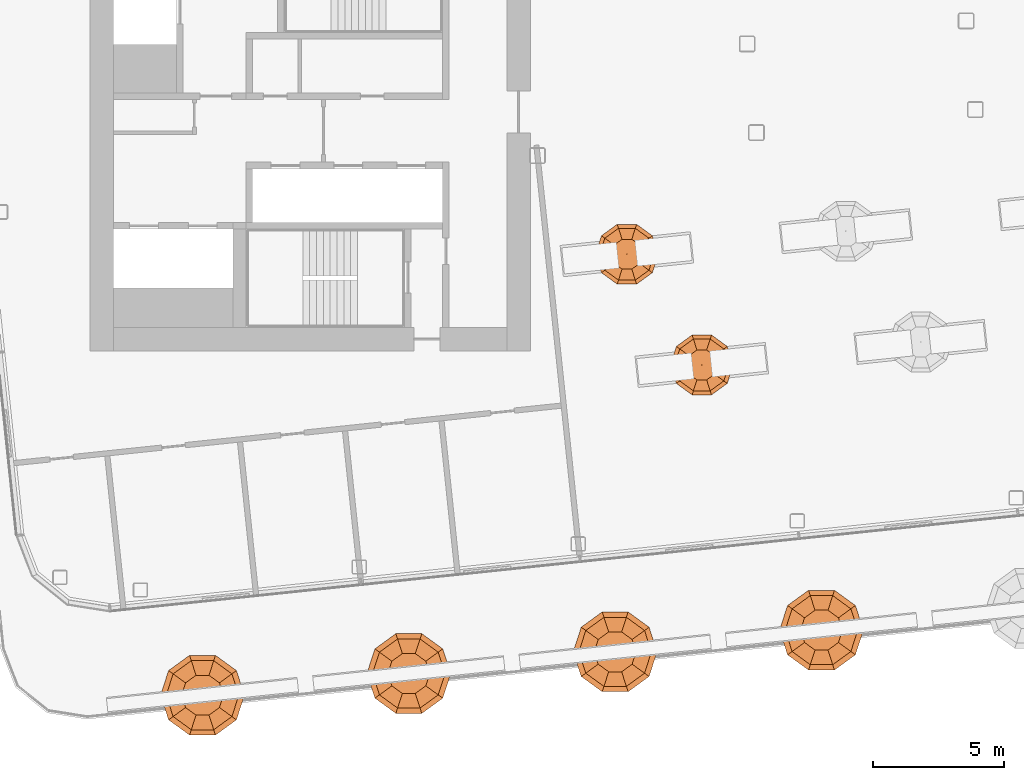
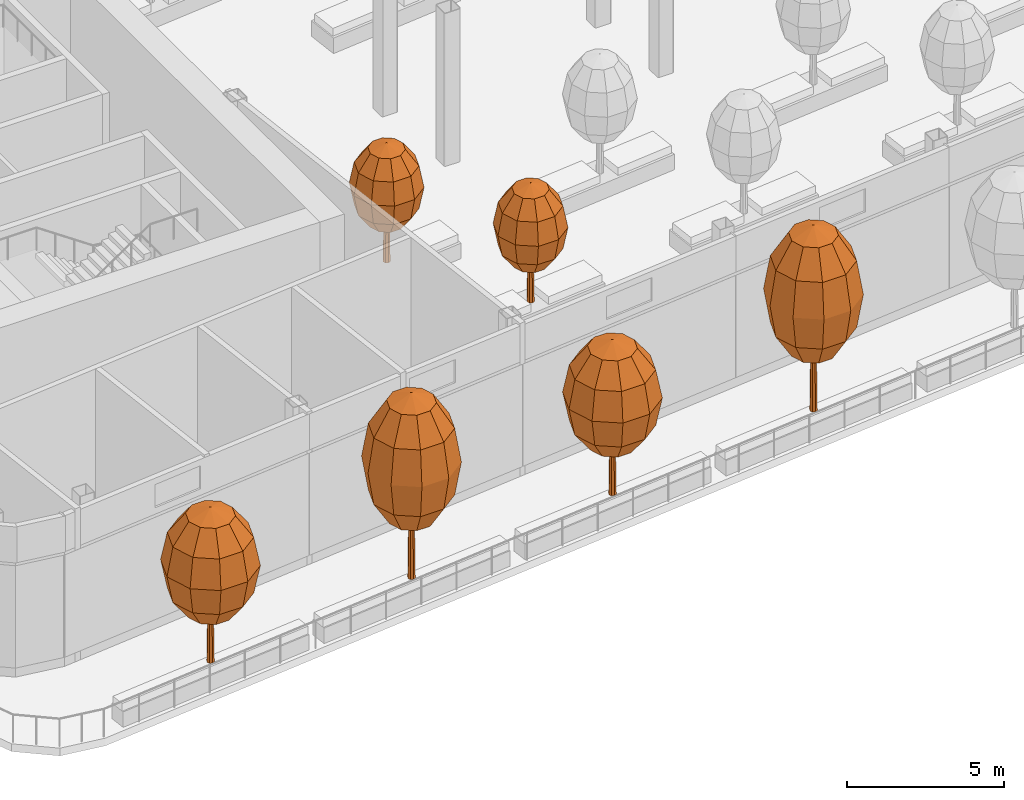
# One storey, part 37 of 42: 6 geographic elements.
"""IFC4 building model written with IfcOpenShell, lengths in metres."""

from ifc_helpers import new_model, si_unit, direction, frame, origin, place, context, subcontext, project, spatial, triangles, material, type_object, element, save


model = new_model("IFC4")

# Units and contexts
model_context = context("Model", 3, precision=1e-05, world=origin(), true_north=direction((0.0, 1.0)))
body_context = subcontext(model_context, "Body", "Model", "MODEL_VIEW")
ifc_project = project(units=[si_unit("LENGTHUNIT", "METRE"), si_unit("AREAUNIT", "SQUARE_METRE"), si_unit("VOLUMEUNIT", "CUBIC_METRE"), si_unit("PLANEANGLEUNIT", "RADIAN"), si_unit("MASSUNIT", "GRAM", prefix="KILO")], contexts=[model_context])

# Site, building, storey
site_placement = place(None, origin())
site = spatial("IfcSite", under=ifc_project, at=site_placement, CompositionType="ELEMENT")
building_placement = place(site_placement, origin())
building = spatial("IfcBuilding", under=site, at=building_placement, Name="Hakoniwa Tower and Hamabe Station Hall", CompositionType="ELEMENT")
storey_placement = place(building_placement, frame((0.0, 0.0, 232.60009765625)))
storey = spatial("IfcBuildingStorey", under=building, at=storey_placement, Name="L66", CompositionType="ELEMENT", Elevation=232.60009765625)

# Geographic elements
ifc_material_1 = material(Name="Tree foliage")
geographic_element_type_1 = type_object("IfcGeographicElementType", Name="Camellia 4.6 m", PredefinedType="USERDEFINED", material=ifc_material_1)
geographic_element_1_placement = place(storey_placement, frame((-13.1181640625, -4.710693359375, 0.599853515625)))
element("IfcGeographicElement", 1, at=geographic_element_1_placement, inside=storey, type_object=geographic_element_type_1, Name="Camellia 4-6 m", ObjectType="TREE", PredefinedType="USERDEFINED", context=body_context, shape_type="Tessellation", body=[
    triangles([(0.125, 0.0, 0.0), (0.08837890625, 0.08837890625, 0.0), (0.0, 0.125, 0.0), (-0.08837890625, 0.08837890625, 0.0), (-0.125, 0.0, 0.0), (-0.08837890625, -0.08837890625, 0.0), (0.0, -0.125, 0.0), (0.08837890625, -0.08837890625, 0.0), (0.074951171875, 0.0, 2.778564453125), (0.052978515625, 0.052978515625, 2.778564453125), (0.0, 0.074951171875, 2.778564453125), (-0.052978515625, 0.052978515625, 2.778564453125), (-0.074951171875, 0.0, 2.778564453125), (-0.052978515625, -0.052978515625, 2.778564453125), (0.0, -0.074951171875, 2.778564453125), (0.052978515625, -0.052978515625, 2.778564453125), (0.0, 0.0, 0.0), (0.0, 0.0, 2.778564453125)], [[1, 2, 10], [1, 10, 9], [17, 2, 1], [18, 9, 10], [2, 3, 11], [2, 11, 10], [17, 3, 2], [18, 10, 11], [3, 4, 12], [3, 12, 11], [17, 4, 3], [18, 11, 12], [4, 5, 13], [4, 13, 12], [17, 5, 4], [18, 12, 13], [5, 6, 14], [5, 14, 13], [17, 6, 5], [18, 13, 14], [6, 7, 15], [6, 15, 14], [17, 7, 6], [18, 14, 15], [7, 8, 16], [7, 16, 15], [17, 8, 7], [18, 15, 16], [8, 1, 9], [8, 9, 16], [17, 1, 8], [18, 16, 9]], closed=True),
    triangles([(0.0, 0.0, 1.2880859375), (0.599853515625, 0.0, 1.510009765625), (0.4853515625, 0.3525390625, 1.510009765625), (0.185302734375, 0.570556640625, 1.510009765625), (-0.185302734375, 0.570556640625, 1.510009765625), (-0.4853515625, 0.3525390625, 1.510009765625), (-0.599853515625, 0.0, 1.510009765625), (-0.4853515625, -0.3525390625, 1.510009765625), (-0.185302734375, -0.570556640625, 1.510009765625), (0.185302734375, -0.570556640625, 1.510009765625), (0.4853515625, -0.3525390625, 1.510009765625), (1.039306640625, 0.0, 2.115966796875), (0.8408203125, 0.61083984375, 2.115966796875), (0.321044921875, 0.98828125, 2.115966796875), (-0.321044921875, 0.98828125, 2.115966796875), (-0.8408203125, 0.61083984375, 2.115966796875), (-1.039306640625, 0.0, 2.115966796875), (-0.8408203125, -0.61083984375, 2.115966796875), (-0.321044921875, -0.98828125, 2.115966796875), (0.321044921875, -0.98828125, 2.115966796875), (0.8408203125, -0.61083984375, 2.115966796875), (1.199951171875, 0.0, 2.944091796875), (0.970703125, 0.705322265625, 2.944091796875), (0.370849609375, 1.14111328125, 2.944091796875), (-0.370849609375, 1.14111328125, 2.944091796875), (-0.970703125, 0.705322265625, 2.944091796875), (-1.199951171875, 0.0, 2.944091796875), (-0.970703125, -0.705322265625, 2.944091796875), (-0.370849609375, -1.14111328125, 2.944091796875), (0.370849609375, -1.14111328125, 2.944091796875), (0.970703125, -0.705322265625, 2.944091796875), (1.039306640625, 0.0, 3.77197265625), (0.8408203125, 0.61083984375, 3.77197265625), (0.321044921875, 0.98828125, 3.77197265625), (-0.321044921875, 0.98828125, 3.77197265625), (-0.8408203125, 0.61083984375, 3.77197265625), (-1.039306640625, 0.0, 3.77197265625), (-0.8408203125, -0.61083984375, 3.77197265625), (-0.321044921875, -0.98828125, 3.77197265625), (0.321044921875, -0.98828125, 3.77197265625), (0.8408203125, -0.61083984375, 3.77197265625), (0.599853515625, 0.0, 4.378173828125), (0.4853515625, 0.3525390625, 4.378173828125), (0.185302734375, 0.570556640625, 4.378173828125), (-0.185302734375, 0.570556640625, 4.378173828125), (-0.4853515625, 0.3525390625, 4.378173828125), (-0.599853515625, 0.0, 4.378173828125), (-0.4853515625, -0.3525390625, 4.378173828125), (-0.185302734375, -0.570556640625, 4.378173828125), (0.185302734375, -0.570556640625, 4.378173828125), (0.4853515625, -0.3525390625, 4.378173828125), (0.0, 0.0, 4.60009765625)], [[1, 3, 2], [1, 4, 3], [1, 5, 4], [1, 6, 5], [1, 7, 6], [1, 8, 7], [1, 9, 8], [1, 10, 9], [1, 11, 10], [1, 2, 11], [2, 3, 13], [2, 13, 12], [3, 4, 14], [3, 14, 13], [4, 5, 15], [4, 15, 14], [5, 6, 16], [5, 16, 15], [6, 7, 17], [6, 17, 16], [7, 8, 18], [7, 18, 17], [8, 9, 19], [8, 19, 18], [9, 10, 20], [9, 20, 19], [10, 11, 21], [10, 21, 20], [11, 2, 12], [11, 12, 21], [12, 13, 23], [12, 23, 22], [13, 14, 24], [13, 24, 23], [14, 15, 25], [14, 25, 24], [15, 16, 26], [15, 26, 25], [16, 17, 27], [16, 27, 26], [17, 18, 28], [17, 28, 27], [18, 19, 29], [18, 29, 28], [19, 20, 30], [19, 30, 29], [20, 21, 31], [20, 31, 30], [21, 12, 22], [21, 22, 31], [22, 23, 33], [22, 33, 32], [23, 24, 34], [23, 34, 33], [24, 25, 35], [24, 35, 34], [25, 26, 36], [25, 36, 35], [26, 27, 37], [26, 37, 36], [27, 28, 38], [27, 38, 37], [28, 29, 39], [28, 39, 38], [29, 30, 40], [29, 40, 39], [30, 31, 41], [30, 41, 40], [31, 22, 32], [31, 32, 41], [32, 33, 43], [32, 43, 42], [33, 34, 44], [33, 44, 43], [34, 35, 45], [34, 45, 44], [35, 36, 46], [35, 46, 45], [36, 37, 47], [36, 47, 46], [37, 38, 48], [37, 48, 47], [38, 39, 49], [38, 49, 48], [39, 40, 50], [39, 50, 49], [40, 41, 51], [40, 51, 50], [41, 32, 42], [41, 42, 51], [52, 42, 43], [52, 43, 44], [52, 44, 45], [52, 45, 46], [52, 46, 47], [52, 47, 48], [52, 48, 49], [52, 49, 50], [52, 50, 51], [52, 51, 42]], closed=True),
])
geographic_element_2_placement = place(storey_placement, frame((-10.260986328125, -8.935302734375, 0.599853515625)))
element("IfcGeographicElement", 2, at=geographic_element_2_placement, inside=storey, type_object=geographic_element_type_1, Name="Camellia 4-6 m", ObjectType="TREE", PredefinedType="USERDEFINED", context=body_context, shape_type="Tessellation", body=[
    triangles([(0.125, 0.0, 0.0), (0.08837890625, 0.08837890625, 0.0), (0.0, 0.125, 0.0), (-0.08837890625, 0.08837890625, 0.0), (-0.125, 0.0, 0.0), (-0.08837890625, -0.08837890625, 0.0), (0.0, -0.125, 0.0), (0.08837890625, -0.08837890625, 0.0), (0.074951171875, 0.0, 2.778564453125), (0.052978515625, 0.052978515625, 2.778564453125), (0.0, 0.074951171875, 2.778564453125), (-0.052978515625, 0.052978515625, 2.778564453125), (-0.074951171875, 0.0, 2.778564453125), (-0.052978515625, -0.052978515625, 2.778564453125), (0.0, -0.074951171875, 2.778564453125), (0.052978515625, -0.052978515625, 2.778564453125), (0.0, 0.0, 0.0), (0.0, 0.0, 2.778564453125)], [[1, 2, 10], [1, 10, 9], [17, 2, 1], [18, 9, 10], [2, 3, 11], [2, 11, 10], [17, 3, 2], [18, 10, 11], [3, 4, 12], [3, 12, 11], [17, 4, 3], [18, 11, 12], [4, 5, 13], [4, 13, 12], [17, 5, 4], [18, 12, 13], [5, 6, 14], [5, 14, 13], [17, 6, 5], [18, 13, 14], [6, 7, 15], [6, 15, 14], [17, 7, 6], [18, 14, 15], [7, 8, 16], [7, 16, 15], [17, 8, 7], [18, 15, 16], [8, 1, 9], [8, 9, 16], [17, 1, 8], [18, 16, 9]], closed=True),
    triangles([(0.0, 0.0, 1.2880859375), (0.599853515625, 0.0, 1.510009765625), (0.4853515625, 0.3525390625, 1.510009765625), (0.185302734375, 0.570556640625, 1.510009765625), (-0.185302734375, 0.570556640625, 1.510009765625), (-0.4853515625, 0.3525390625, 1.510009765625), (-0.599853515625, 0.0, 1.510009765625), (-0.4853515625, -0.3525390625, 1.510009765625), (-0.185302734375, -0.570556640625, 1.510009765625), (0.185302734375, -0.570556640625, 1.510009765625), (0.4853515625, -0.3525390625, 1.510009765625), (1.039306640625, 0.0, 2.115966796875), (0.8408203125, 0.61083984375, 2.115966796875), (0.321044921875, 0.98828125, 2.115966796875), (-0.321044921875, 0.98828125, 2.115966796875), (-0.8408203125, 0.61083984375, 2.115966796875), (-1.039306640625, 0.0, 2.115966796875), (-0.8408203125, -0.61083984375, 2.115966796875), (-0.321044921875, -0.98828125, 2.115966796875), (0.321044921875, -0.98828125, 2.115966796875), (0.8408203125, -0.61083984375, 2.115966796875), (1.199951171875, 0.0, 2.944091796875), (0.970703125, 0.705322265625, 2.944091796875), (0.370849609375, 1.14111328125, 2.944091796875), (-0.370849609375, 1.14111328125, 2.944091796875), (-0.970703125, 0.705322265625, 2.944091796875), (-1.199951171875, 0.0, 2.944091796875), (-0.970703125, -0.705322265625, 2.944091796875), (-0.370849609375, -1.14111328125, 2.944091796875), (0.370849609375, -1.14111328125, 2.944091796875), (0.970703125, -0.705322265625, 2.944091796875), (1.039306640625, 0.0, 3.77197265625), (0.8408203125, 0.61083984375, 3.77197265625), (0.321044921875, 0.98828125, 3.77197265625), (-0.321044921875, 0.98828125, 3.77197265625), (-0.8408203125, 0.61083984375, 3.77197265625), (-1.039306640625, 0.0, 3.77197265625), (-0.8408203125, -0.61083984375, 3.77197265625), (-0.321044921875, -0.98828125, 3.77197265625), (0.321044921875, -0.98828125, 3.77197265625), (0.8408203125, -0.61083984375, 3.77197265625), (0.599853515625, 0.0, 4.378173828125), (0.4853515625, 0.3525390625, 4.378173828125), (0.185302734375, 0.570556640625, 4.378173828125), (-0.185302734375, 0.570556640625, 4.378173828125), (-0.4853515625, 0.3525390625, 4.378173828125), (-0.599853515625, 0.0, 4.378173828125), (-0.4853515625, -0.3525390625, 4.378173828125), (-0.185302734375, -0.570556640625, 4.378173828125), (0.185302734375, -0.570556640625, 4.378173828125), (0.4853515625, -0.3525390625, 4.378173828125), (0.0, 0.0, 4.60009765625)], [[1, 3, 2], [1, 4, 3], [1, 5, 4], [1, 6, 5], [1, 7, 6], [1, 8, 7], [1, 9, 8], [1, 10, 9], [1, 11, 10], [1, 2, 11], [2, 3, 13], [2, 13, 12], [3, 4, 14], [3, 14, 13], [4, 5, 15], [4, 15, 14], [5, 6, 16], [5, 16, 15], [6, 7, 17], [6, 17, 16], [7, 8, 18], [7, 18, 17], [8, 9, 19], [8, 19, 18], [9, 10, 20], [9, 20, 19], [10, 11, 21], [10, 21, 20], [11, 2, 12], [11, 12, 21], [12, 13, 23], [12, 23, 22], [13, 14, 24], [13, 24, 23], [14, 15, 25], [14, 25, 24], [15, 16, 26], [15, 26, 25], [16, 17, 27], [16, 27, 26], [17, 18, 28], [17, 28, 27], [18, 19, 29], [18, 29, 28], [19, 20, 30], [19, 30, 29], [20, 21, 31], [20, 31, 30], [21, 12, 22], [21, 22, 31], [22, 23, 33], [22, 33, 32], [23, 24, 34], [23, 34, 33], [24, 25, 35], [24, 35, 34], [25, 26, 36], [25, 36, 35], [26, 27, 37], [26, 37, 36], [27, 28, 38], [27, 38, 37], [28, 29, 39], [28, 39, 38], [29, 30, 40], [29, 40, 39], [30, 31, 41], [30, 41, 40], [31, 22, 32], [31, 32, 41], [32, 33, 43], [32, 43, 42], [33, 34, 44], [33, 44, 43], [34, 35, 45], [34, 45, 44], [35, 36, 46], [35, 46, 45], [36, 37, 47], [36, 47, 46], [37, 38, 48], [37, 48, 47], [38, 39, 49], [38, 49, 48], [39, 40, 50], [39, 50, 49], [40, 41, 51], [40, 51, 50], [41, 32, 42], [41, 42, 51], [52, 42, 43], [52, 43, 44], [52, 44, 45], [52, 45, 46], [52, 46, 47], [52, 47, 48], [52, 48, 49], [52, 49, 50], [52, 50, 51], [52, 51, 42]], closed=True),
])
ifc_material_2 = material(Name="Tree foliage")
geographic_element_type_2 = type_object("IfcGeographicElementType", Name="Japanese maple 7.2 m", PredefinedType="USERDEFINED", material=ifc_material_2)
geographic_element_3_placement = place(storey_placement, frame((-21.439208984375, -20.70947265625, 0.89990234375)))
element("IfcGeographicElement", 3, at=geographic_element_3_placement, inside=storey, type_object=geographic_element_type_2, Name="Japanese maple 7-2 m", ObjectType="TREE", PredefinedType="USERDEFINED", context=body_context, shape_type="Tessellation", body=[
    triangles([(0.125, 0.0, 0.0), (0.08837890625, 0.08837890625, 0.0), (0.0, 0.125, 0.0), (-0.08837890625, 0.08837890625, 0.0), (-0.125, 0.0, 0.0), (-0.08837890625, -0.08837890625, 0.0), (0.0, -0.125, 0.0), (0.08837890625, -0.08837890625, 0.0), (0.074951171875, 0.0, 4.348876953125), (0.052978515625, 0.052978515625, 4.348876953125), (0.0, 0.074951171875, 4.348876953125), (-0.052978515625, 0.052978515625, 4.348876953125), (-0.074951171875, 0.0, 4.348876953125), (-0.052978515625, -0.052978515625, 4.348876953125), (0.0, -0.074951171875, 4.348876953125), (0.052978515625, -0.052978515625, 4.348876953125), (0.0, 0.0, 0.0), (0.0, 0.0, 4.348876953125)], [[1, 2, 10], [1, 10, 9], [17, 2, 1], [18, 9, 10], [2, 3, 11], [2, 11, 10], [17, 3, 2], [18, 10, 11], [3, 4, 12], [3, 12, 11], [17, 4, 3], [18, 11, 12], [4, 5, 13], [4, 13, 12], [17, 5, 4], [18, 12, 13], [5, 6, 14], [5, 14, 13], [17, 6, 5], [18, 13, 14], [6, 7, 15], [6, 15, 14], [17, 7, 6], [18, 14, 15], [7, 8, 16], [7, 16, 15], [17, 8, 7], [18, 15, 16], [8, 1, 9], [8, 9, 16], [17, 1, 8], [18, 16, 9]], closed=True),
    triangles([(0.0, 0.0, 2.015869140625), (0.800048828125, 0.0, 2.36328125), (0.647216796875, 0.47021484375, 2.36328125), (0.247314453125, 0.7607421875, 2.36328125), (-0.247314453125, 0.7607421875, 2.36328125), (-0.647216796875, 0.47021484375, 2.36328125), (-0.800048828125, 0.0, 2.36328125), (-0.647216796875, -0.47021484375, 2.36328125), (-0.247314453125, -0.7607421875, 2.36328125), (0.247314453125, -0.7607421875, 2.36328125), (0.647216796875, -0.47021484375, 2.36328125), (1.385498046875, 0.0, 3.31201171875), (1.12109375, 0.814453125, 3.31201171875), (0.42822265625, 1.31787109375, 3.31201171875), (-0.42822265625, 1.31787109375, 3.31201171875), (-1.12109375, 0.814453125, 3.31201171875), (-1.385498046875, 0.0, 3.31201171875), (-1.12109375, -0.814453125, 3.31201171875), (-0.42822265625, -1.31787109375, 3.31201171875), (0.42822265625, -1.31787109375, 3.31201171875), (1.12109375, -0.814453125, 3.31201171875), (1.60009765625, 0.0, 4.60791015625), (1.29443359375, 0.9404296875, 4.60791015625), (0.494384765625, 1.521728515625, 4.60791015625), (-0.494384765625, 1.521728515625, 4.60791015625), (-1.29443359375, 0.9404296875, 4.60791015625), (-1.60009765625, 0.0, 4.60791015625), (-1.29443359375, -0.9404296875, 4.60791015625), (-0.494384765625, -1.521728515625, 4.60791015625), (0.494384765625, -1.521728515625, 4.60791015625), (1.29443359375, -0.9404296875, 4.60791015625), (1.385498046875, 0.0, 5.904052734375), (1.12109375, 0.814453125, 5.904052734375), (0.42822265625, 1.31787109375, 5.904052734375), (-0.42822265625, 1.31787109375, 5.904052734375), (-1.12109375, 0.814453125, 5.904052734375), (-1.385498046875, 0.0, 5.904052734375), (-1.12109375, -0.814453125, 5.904052734375), (-0.42822265625, -1.31787109375, 5.904052734375), (0.42822265625, -1.31787109375, 5.904052734375), (1.12109375, -0.814453125, 5.904052734375), (0.800048828125, 0.0, 6.852783203125), (0.647216796875, 0.47021484375, 6.852783203125), (0.247314453125, 0.7607421875, 6.852783203125), (-0.247314453125, 0.7607421875, 6.852783203125), (-0.647216796875, 0.47021484375, 6.852783203125), (-0.800048828125, 0.0, 6.852783203125), (-0.647216796875, -0.47021484375, 6.852783203125), (-0.247314453125, -0.7607421875, 6.852783203125), (0.247314453125, -0.7607421875, 6.852783203125), (0.647216796875, -0.47021484375, 6.852783203125), (0.0, 0.0, 7.199951171875)], [[1, 3, 2], [1, 4, 3], [1, 5, 4], [1, 6, 5], [1, 7, 6], [1, 8, 7], [1, 9, 8], [1, 10, 9], [1, 11, 10], [1, 2, 11], [2, 3, 13], [2, 13, 12], [3, 4, 14], [3, 14, 13], [4, 5, 15], [4, 15, 14], [5, 6, 16], [5, 16, 15], [6, 7, 17], [6, 17, 16], [7, 8, 18], [7, 18, 17], [8, 9, 19], [8, 19, 18], [9, 10, 20], [9, 20, 19], [10, 11, 21], [10, 21, 20], [11, 2, 12], [11, 12, 21], [12, 13, 23], [12, 23, 22], [13, 14, 24], [13, 24, 23], [14, 15, 25], [14, 25, 24], [15, 16, 26], [15, 26, 25], [16, 17, 27], [16, 27, 26], [17, 18, 28], [17, 28, 27], [18, 19, 29], [18, 29, 28], [19, 20, 30], [19, 30, 29], [20, 21, 31], [20, 31, 30], [21, 12, 22], [21, 22, 31], [22, 23, 33], [22, 33, 32], [23, 24, 34], [23, 34, 33], [24, 25, 35], [24, 35, 34], [25, 26, 36], [25, 36, 35], [26, 27, 37], [26, 37, 36], [27, 28, 38], [27, 38, 37], [28, 29, 39], [28, 39, 38], [29, 30, 40], [29, 40, 39], [30, 31, 41], [30, 41, 40], [31, 22, 32], [31, 32, 41], [32, 33, 43], [32, 43, 42], [33, 34, 44], [33, 44, 43], [34, 35, 45], [34, 45, 44], [35, 36, 46], [35, 46, 45], [36, 37, 47], [36, 47, 46], [37, 38, 48], [37, 48, 47], [38, 39, 49], [38, 49, 48], [39, 40, 50], [39, 50, 49], [40, 41, 51], [40, 51, 50], [41, 32, 42], [41, 42, 51], [52, 42, 43], [52, 43, 44], [52, 44, 45], [52, 45, 46], [52, 46, 47], [52, 47, 48], [52, 48, 49], [52, 49, 50], [52, 50, 51], [52, 51, 42]], closed=True),
])
geographic_element_4_placement = place(storey_placement, frame((-5.694091796875, -19.0546875, 0.89990234375)))
element("IfcGeographicElement", 4, at=geographic_element_4_placement, inside=storey, type_object=geographic_element_type_2, Name="Japanese maple 7-2 m", ObjectType="TREE", PredefinedType="USERDEFINED", context=body_context, shape_type="Tessellation", body=[
    triangles([(0.125, 0.0, 0.0), (0.08837890625, 0.08837890625, 0.0), (0.0, 0.125, 0.0), (-0.08837890625, 0.08837890625, 0.0), (-0.125, 0.0, 0.0), (-0.08837890625, -0.08837890625, 0.0), (0.0, -0.125, 0.0), (0.08837890625, -0.08837890625, 0.0), (0.074951171875, 0.0, 4.348876953125), (0.052978515625, 0.052978515625, 4.348876953125), (0.0, 0.074951171875, 4.348876953125), (-0.052978515625, 0.052978515625, 4.348876953125), (-0.074951171875, 0.0, 4.348876953125), (-0.052978515625, -0.052978515625, 4.348876953125), (0.0, -0.074951171875, 4.348876953125), (0.052978515625, -0.052978515625, 4.348876953125), (0.0, 0.0, 0.0), (0.0, 0.0, 4.348876953125)], [[1, 2, 10], [1, 10, 9], [17, 2, 1], [18, 9, 10], [2, 3, 11], [2, 11, 10], [17, 3, 2], [18, 10, 11], [3, 4, 12], [3, 12, 11], [17, 4, 3], [18, 11, 12], [4, 5, 13], [4, 13, 12], [17, 5, 4], [18, 12, 13], [5, 6, 14], [5, 14, 13], [17, 6, 5], [18, 13, 14], [6, 7, 15], [6, 15, 14], [17, 7, 6], [18, 14, 15], [7, 8, 16], [7, 16, 15], [17, 8, 7], [18, 15, 16], [8, 1, 9], [8, 9, 16], [17, 1, 8], [18, 16, 9]], closed=True),
    triangles([(0.0, 0.0, 2.015869140625), (0.800048828125, 0.0, 2.36328125), (0.647216796875, 0.47021484375, 2.36328125), (0.247314453125, 0.7607421875, 2.36328125), (-0.247314453125, 0.7607421875, 2.36328125), (-0.647216796875, 0.47021484375, 2.36328125), (-0.800048828125, 0.0, 2.36328125), (-0.647216796875, -0.47021484375, 2.36328125), (-0.247314453125, -0.7607421875, 2.36328125), (0.247314453125, -0.7607421875, 2.36328125), (0.647216796875, -0.47021484375, 2.36328125), (1.385498046875, 0.0, 3.31201171875), (1.12109375, 0.814453125, 3.31201171875), (0.42822265625, 1.31787109375, 3.31201171875), (-0.42822265625, 1.31787109375, 3.31201171875), (-1.12109375, 0.814453125, 3.31201171875), (-1.385498046875, 0.0, 3.31201171875), (-1.12109375, -0.814453125, 3.31201171875), (-0.42822265625, -1.31787109375, 3.31201171875), (0.42822265625, -1.31787109375, 3.31201171875), (1.12109375, -0.814453125, 3.31201171875), (1.60009765625, 0.0, 4.60791015625), (1.29443359375, 0.9404296875, 4.60791015625), (0.494384765625, 1.521728515625, 4.60791015625), (-0.494384765625, 1.521728515625, 4.60791015625), (-1.29443359375, 0.9404296875, 4.60791015625), (-1.60009765625, 0.0, 4.60791015625), (-1.29443359375, -0.9404296875, 4.60791015625), (-0.494384765625, -1.521728515625, 4.60791015625), (0.494384765625, -1.521728515625, 4.60791015625), (1.29443359375, -0.9404296875, 4.60791015625), (1.385498046875, 0.0, 5.904052734375), (1.12109375, 0.814453125, 5.904052734375), (0.42822265625, 1.31787109375, 5.904052734375), (-0.42822265625, 1.31787109375, 5.904052734375), (-1.12109375, 0.814453125, 5.904052734375), (-1.385498046875, 0.0, 5.904052734375), (-1.12109375, -0.814453125, 5.904052734375), (-0.42822265625, -1.31787109375, 5.904052734375), (0.42822265625, -1.31787109375, 5.904052734375), (1.12109375, -0.814453125, 5.904052734375), (0.800048828125, 0.0, 6.852783203125), (0.647216796875, 0.47021484375, 6.852783203125), (0.247314453125, 0.7607421875, 6.852783203125), (-0.247314453125, 0.7607421875, 6.852783203125), (-0.647216796875, 0.47021484375, 6.852783203125), (-0.800048828125, 0.0, 6.852783203125), (-0.647216796875, -0.47021484375, 6.852783203125), (-0.247314453125, -0.7607421875, 6.852783203125), (0.247314453125, -0.7607421875, 6.852783203125), (0.647216796875, -0.47021484375, 6.852783203125), (0.0, 0.0, 7.199951171875)], [[1, 3, 2], [1, 4, 3], [1, 5, 4], [1, 6, 5], [1, 7, 6], [1, 8, 7], [1, 9, 8], [1, 10, 9], [1, 11, 10], [1, 2, 11], [2, 3, 13], [2, 13, 12], [3, 4, 14], [3, 14, 13], [4, 5, 15], [4, 15, 14], [5, 6, 16], [5, 16, 15], [6, 7, 17], [6, 17, 16], [7, 8, 18], [7, 18, 17], [8, 9, 19], [8, 19, 18], [9, 10, 20], [9, 20, 19], [10, 11, 21], [10, 21, 20], [11, 2, 12], [11, 12, 21], [12, 13, 23], [12, 23, 22], [13, 14, 24], [13, 24, 23], [14, 15, 25], [14, 25, 24], [15, 16, 26], [15, 26, 25], [16, 17, 27], [16, 27, 26], [17, 18, 28], [17, 28, 27], [18, 19, 29], [18, 29, 28], [19, 20, 30], [19, 30, 29], [20, 21, 31], [20, 31, 30], [21, 12, 22], [21, 22, 31], [22, 23, 33], [22, 33, 32], [23, 24, 34], [23, 34, 33], [24, 25, 35], [24, 35, 34], [25, 26, 36], [25, 36, 35], [26, 27, 37], [26, 37, 36], [27, 28, 38], [27, 38, 37], [28, 29, 39], [28, 39, 38], [29, 30, 40], [29, 40, 39], [30, 31, 41], [30, 41, 40], [31, 22, 32], [31, 32, 41], [32, 33, 43], [32, 43, 42], [33, 34, 44], [33, 44, 43], [34, 35, 45], [34, 45, 44], [35, 36, 46], [35, 46, 45], [36, 37, 47], [36, 47, 46], [37, 38, 48], [37, 48, 47], [38, 39, 49], [38, 49, 48], [39, 40, 50], [39, 50, 49], [40, 41, 51], [40, 51, 50], [41, 32, 42], [41, 42, 51], [52, 42, 43], [52, 43, 44], [52, 44, 45], [52, 45, 46], [52, 46, 47], [52, 47, 48], [52, 48, 49], [52, 49, 50], [52, 50, 51], [52, 51, 42]], closed=True),
])
ifc_material_3 = material(Name="Tree foliage")
geographic_element_type_3 = type_object("IfcGeographicElementType", Name="Osmanthus 6.0 m", PredefinedType="USERDEFINED", material=ifc_material_3)
geographic_element_5_placement = place(storey_placement, frame((-29.3115234375, -21.536865234375, 0.89990234375)))
element("IfcGeographicElement", 5, at=geographic_element_5_placement, inside=storey, type_object=geographic_element_type_3, Name="Osmanthus 6-0 m", ObjectType="TREE", PredefinedType="USERDEFINED", context=body_context, shape_type="Tessellation", body=[
    triangles([(0.125, 0.0, 0.0), (0.08837890625, 0.08837890625, 0.0), (0.0, 0.125, 0.0), (-0.08837890625, 0.08837890625, 0.0), (-0.125, 0.0, 0.0), (-0.08837890625, -0.08837890625, 0.0), (0.0, -0.125, 0.0), (0.08837890625, -0.08837890625, 0.0), (0.074951171875, 0.0, 3.6240234375), (0.052978515625, 0.052978515625, 3.6240234375), (0.0, 0.074951171875, 3.6240234375), (-0.052978515625, 0.052978515625, 3.6240234375), (-0.074951171875, 0.0, 3.6240234375), (-0.052978515625, -0.052978515625, 3.6240234375), (0.0, -0.074951171875, 3.6240234375), (0.052978515625, -0.052978515625, 3.6240234375), (0.0, 0.0, 0.0), (0.0, 0.0, 3.6240234375)], [[1, 2, 10], [1, 10, 9], [17, 2, 1], [18, 9, 10], [2, 3, 11], [2, 11, 10], [17, 3, 2], [18, 10, 11], [3, 4, 12], [3, 12, 11], [17, 4, 3], [18, 11, 12], [4, 5, 13], [4, 13, 12], [17, 5, 4], [18, 12, 13], [5, 6, 14], [5, 14, 13], [17, 6, 5], [18, 13, 14], [6, 7, 15], [6, 15, 14], [17, 7, 6], [18, 14, 15], [7, 8, 16], [7, 16, 15], [17, 8, 7], [18, 15, 16], [8, 1, 9], [8, 9, 16], [17, 1, 8], [18, 16, 9]], closed=True),
    triangles([(0.0, 0.0, 1.679931640625), (0.800048828125, 0.0, 1.969482421875), (0.647216796875, 0.47021484375, 1.969482421875), (0.247314453125, 0.7607421875, 1.969482421875), (-0.247314453125, 0.7607421875, 1.969482421875), (-0.647216796875, 0.47021484375, 1.969482421875), (-0.800048828125, 0.0, 1.969482421875), (-0.647216796875, -0.47021484375, 1.969482421875), (-0.247314453125, -0.7607421875, 1.969482421875), (0.247314453125, -0.7607421875, 1.969482421875), (0.647216796875, -0.47021484375, 1.969482421875), (1.385498046875, 0.0, 2.760009765625), (1.12109375, 0.814453125, 2.760009765625), (0.42822265625, 1.31787109375, 2.760009765625), (-0.42822265625, 1.31787109375, 2.760009765625), (-1.12109375, 0.814453125, 2.760009765625), (-1.385498046875, 0.0, 2.760009765625), (-1.12109375, -0.814453125, 2.760009765625), (-0.42822265625, -1.31787109375, 2.760009765625), (0.42822265625, -1.31787109375, 2.760009765625), (1.12109375, -0.814453125, 2.760009765625), (1.60009765625, 0.0, 3.840087890625), (1.29443359375, 0.9404296875, 3.840087890625), (0.494384765625, 1.521728515625, 3.840087890625), (-0.494384765625, 1.521728515625, 3.840087890625), (-1.29443359375, 0.9404296875, 3.840087890625), (-1.60009765625, 0.0, 3.840087890625), (-1.29443359375, -0.9404296875, 3.840087890625), (-0.494384765625, -1.521728515625, 3.840087890625), (0.494384765625, -1.521728515625, 3.840087890625), (1.29443359375, -0.9404296875, 3.840087890625), (1.385498046875, 0.0, 4.919921875), (1.12109375, 0.814453125, 4.919921875), (0.42822265625, 1.31787109375, 4.919921875), (-0.42822265625, 1.31787109375, 4.919921875), (-1.12109375, 0.814453125, 4.919921875), (-1.385498046875, 0.0, 4.919921875), (-1.12109375, -0.814453125, 4.919921875), (-0.42822265625, -1.31787109375, 4.919921875), (0.42822265625, -1.31787109375, 4.919921875), (1.12109375, -0.814453125, 4.919921875), (0.800048828125, 0.0, 5.710693359375), (0.647216796875, 0.47021484375, 5.710693359375), (0.247314453125, 0.7607421875, 5.710693359375), (-0.247314453125, 0.7607421875, 5.710693359375), (-0.647216796875, 0.47021484375, 5.710693359375), (-0.800048828125, 0.0, 5.710693359375), (-0.647216796875, -0.47021484375, 5.710693359375), (-0.247314453125, -0.7607421875, 5.710693359375), (0.247314453125, -0.7607421875, 5.710693359375), (0.647216796875, -0.47021484375, 5.710693359375), (0.0, 0.0, 6.0)], [[1, 3, 2], [1, 4, 3], [1, 5, 4], [1, 6, 5], [1, 7, 6], [1, 8, 7], [1, 9, 8], [1, 10, 9], [1, 11, 10], [1, 2, 11], [2, 3, 13], [2, 13, 12], [3, 4, 14], [3, 14, 13], [4, 5, 15], [4, 15, 14], [5, 6, 16], [5, 16, 15], [6, 7, 17], [6, 17, 16], [7, 8, 18], [7, 18, 17], [8, 9, 19], [8, 19, 18], [9, 10, 20], [9, 20, 19], [10, 11, 21], [10, 21, 20], [11, 2, 12], [11, 12, 21], [12, 13, 23], [12, 23, 22], [13, 14, 24], [13, 24, 23], [14, 15, 25], [14, 25, 24], [15, 16, 26], [15, 26, 25], [16, 17, 27], [16, 27, 26], [17, 18, 28], [17, 28, 27], [18, 19, 29], [18, 29, 28], [19, 20, 30], [19, 30, 29], [20, 21, 31], [20, 31, 30], [21, 12, 22], [21, 22, 31], [22, 23, 33], [22, 33, 32], [23, 24, 34], [23, 34, 33], [24, 25, 35], [24, 35, 34], [25, 26, 36], [25, 36, 35], [26, 27, 37], [26, 37, 36], [27, 28, 38], [27, 38, 37], [28, 29, 39], [28, 39, 38], [29, 30, 40], [29, 40, 39], [30, 31, 41], [30, 41, 40], [31, 22, 32], [31, 32, 41], [32, 33, 43], [32, 43, 42], [33, 34, 44], [33, 44, 43], [34, 35, 45], [34, 45, 44], [35, 36, 46], [35, 46, 45], [36, 37, 47], [36, 47, 46], [37, 38, 48], [37, 48, 47], [38, 39, 49], [38, 49, 48], [39, 40, 50], [39, 50, 49], [40, 41, 51], [40, 51, 50], [41, 32, 42], [41, 42, 51], [52, 42, 43], [52, 43, 44], [52, 44, 45], [52, 45, 46], [52, 46, 47], [52, 47, 48], [52, 48, 49], [52, 49, 50], [52, 50, 51], [52, 51, 42]], closed=True),
])
geographic_element_6_placement = place(storey_placement, frame((-13.566650390625, -19.882080078125, 0.89990234375)))
element("IfcGeographicElement", 6, at=geographic_element_6_placement, inside=storey, type_object=geographic_element_type_3, Name="Osmanthus 6-0 m", ObjectType="TREE", PredefinedType="USERDEFINED", context=body_context, shape_type="Tessellation", body=[
    triangles([(0.125, 0.0, 0.0), (0.08837890625, 0.08837890625, 0.0), (0.0, 0.125, 0.0), (-0.08837890625, 0.08837890625, 0.0), (-0.125, 0.0, 0.0), (-0.08837890625, -0.08837890625, 0.0), (0.0, -0.125, 0.0), (0.08837890625, -0.08837890625, 0.0), (0.074951171875, 0.0, 3.6240234375), (0.052978515625, 0.052978515625, 3.6240234375), (0.0, 0.074951171875, 3.6240234375), (-0.052978515625, 0.052978515625, 3.6240234375), (-0.074951171875, 0.0, 3.6240234375), (-0.052978515625, -0.052978515625, 3.6240234375), (0.0, -0.074951171875, 3.6240234375), (0.052978515625, -0.052978515625, 3.6240234375), (0.0, 0.0, 0.0), (0.0, 0.0, 3.6240234375)], [[1, 2, 10], [1, 10, 9], [17, 2, 1], [18, 9, 10], [2, 3, 11], [2, 11, 10], [17, 3, 2], [18, 10, 11], [3, 4, 12], [3, 12, 11], [17, 4, 3], [18, 11, 12], [4, 5, 13], [4, 13, 12], [17, 5, 4], [18, 12, 13], [5, 6, 14], [5, 14, 13], [17, 6, 5], [18, 13, 14], [6, 7, 15], [6, 15, 14], [17, 7, 6], [18, 14, 15], [7, 8, 16], [7, 16, 15], [17, 8, 7], [18, 15, 16], [8, 1, 9], [8, 9, 16], [17, 1, 8], [18, 16, 9]], closed=True),
    triangles([(0.0, 0.0, 1.679931640625), (0.800048828125, 0.0, 1.969482421875), (0.647216796875, 0.47021484375, 1.969482421875), (0.247314453125, 0.7607421875, 1.969482421875), (-0.247314453125, 0.7607421875, 1.969482421875), (-0.647216796875, 0.47021484375, 1.969482421875), (-0.800048828125, 0.0, 1.969482421875), (-0.647216796875, -0.47021484375, 1.969482421875), (-0.247314453125, -0.7607421875, 1.969482421875), (0.247314453125, -0.7607421875, 1.969482421875), (0.647216796875, -0.47021484375, 1.969482421875), (1.385498046875, 0.0, 2.760009765625), (1.12109375, 0.814453125, 2.760009765625), (0.42822265625, 1.31787109375, 2.760009765625), (-0.42822265625, 1.31787109375, 2.760009765625), (-1.12109375, 0.814453125, 2.760009765625), (-1.385498046875, 0.0, 2.760009765625), (-1.12109375, -0.814453125, 2.760009765625), (-0.42822265625, -1.31787109375, 2.760009765625), (0.42822265625, -1.31787109375, 2.760009765625), (1.12109375, -0.814453125, 2.760009765625), (1.60009765625, 0.0, 3.840087890625), (1.29443359375, 0.9404296875, 3.840087890625), (0.494384765625, 1.521728515625, 3.840087890625), (-0.494384765625, 1.521728515625, 3.840087890625), (-1.29443359375, 0.9404296875, 3.840087890625), (-1.60009765625, 0.0, 3.840087890625), (-1.29443359375, -0.9404296875, 3.840087890625), (-0.494384765625, -1.521728515625, 3.840087890625), (0.494384765625, -1.521728515625, 3.840087890625), (1.29443359375, -0.9404296875, 3.840087890625), (1.385498046875, 0.0, 4.919921875), (1.12109375, 0.814453125, 4.919921875), (0.42822265625, 1.31787109375, 4.919921875), (-0.42822265625, 1.31787109375, 4.919921875), (-1.12109375, 0.814453125, 4.919921875), (-1.385498046875, 0.0, 4.919921875), (-1.12109375, -0.814453125, 4.919921875), (-0.42822265625, -1.31787109375, 4.919921875), (0.42822265625, -1.31787109375, 4.919921875), (1.12109375, -0.814453125, 4.919921875), (0.800048828125, 0.0, 5.710693359375), (0.647216796875, 0.47021484375, 5.710693359375), (0.247314453125, 0.7607421875, 5.710693359375), (-0.247314453125, 0.7607421875, 5.710693359375), (-0.647216796875, 0.47021484375, 5.710693359375), (-0.800048828125, 0.0, 5.710693359375), (-0.647216796875, -0.47021484375, 5.710693359375), (-0.247314453125, -0.7607421875, 5.710693359375), (0.247314453125, -0.7607421875, 5.710693359375), (0.647216796875, -0.47021484375, 5.710693359375), (0.0, 0.0, 6.0)], [[1, 3, 2], [1, 4, 3], [1, 5, 4], [1, 6, 5], [1, 7, 6], [1, 8, 7], [1, 9, 8], [1, 10, 9], [1, 11, 10], [1, 2, 11], [2, 3, 13], [2, 13, 12], [3, 4, 14], [3, 14, 13], [4, 5, 15], [4, 15, 14], [5, 6, 16], [5, 16, 15], [6, 7, 17], [6, 17, 16], [7, 8, 18], [7, 18, 17], [8, 9, 19], [8, 19, 18], [9, 10, 20], [9, 20, 19], [10, 11, 21], [10, 21, 20], [11, 2, 12], [11, 12, 21], [12, 13, 23], [12, 23, 22], [13, 14, 24], [13, 24, 23], [14, 15, 25], [14, 25, 24], [15, 16, 26], [15, 26, 25], [16, 17, 27], [16, 27, 26], [17, 18, 28], [17, 28, 27], [18, 19, 29], [18, 29, 28], [19, 20, 30], [19, 30, 29], [20, 21, 31], [20, 31, 30], [21, 12, 22], [21, 22, 31], [22, 23, 33], [22, 33, 32], [23, 24, 34], [23, 34, 33], [24, 25, 35], [24, 35, 34], [25, 26, 36], [25, 36, 35], [26, 27, 37], [26, 37, 36], [27, 28, 38], [27, 38, 37], [28, 29, 39], [28, 39, 38], [29, 30, 40], [29, 40, 39], [30, 31, 41], [30, 41, 40], [31, 22, 32], [31, 32, 41], [32, 33, 43], [32, 43, 42], [33, 34, 44], [33, 44, 43], [34, 35, 45], [34, 45, 44], [35, 36, 46], [35, 46, 45], [36, 37, 47], [36, 47, 46], [37, 38, 48], [37, 48, 47], [38, 39, 49], [38, 49, 48], [39, 40, 50], [39, 50, 49], [40, 41, 51], [40, 51, 50], [41, 32, 42], [41, 42, 51], [52, 42, 43], [52, 43, 44], [52, 44, 45], [52, 45, 46], [52, 46, 47], [52, 47, 48], [52, 48, 49], [52, 49, 50], [52, 50, 51], [52, 51, 42]], closed=True),
])

save(model, "model.ifc")
